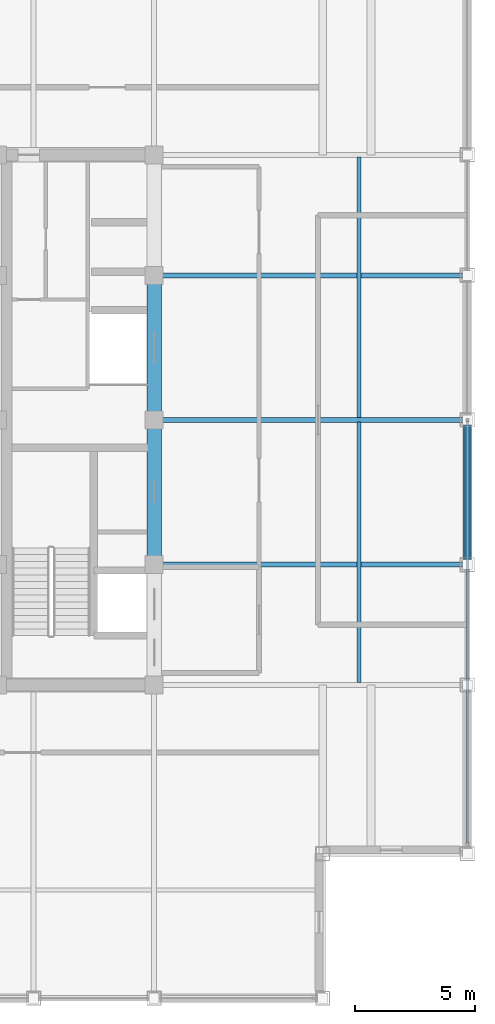
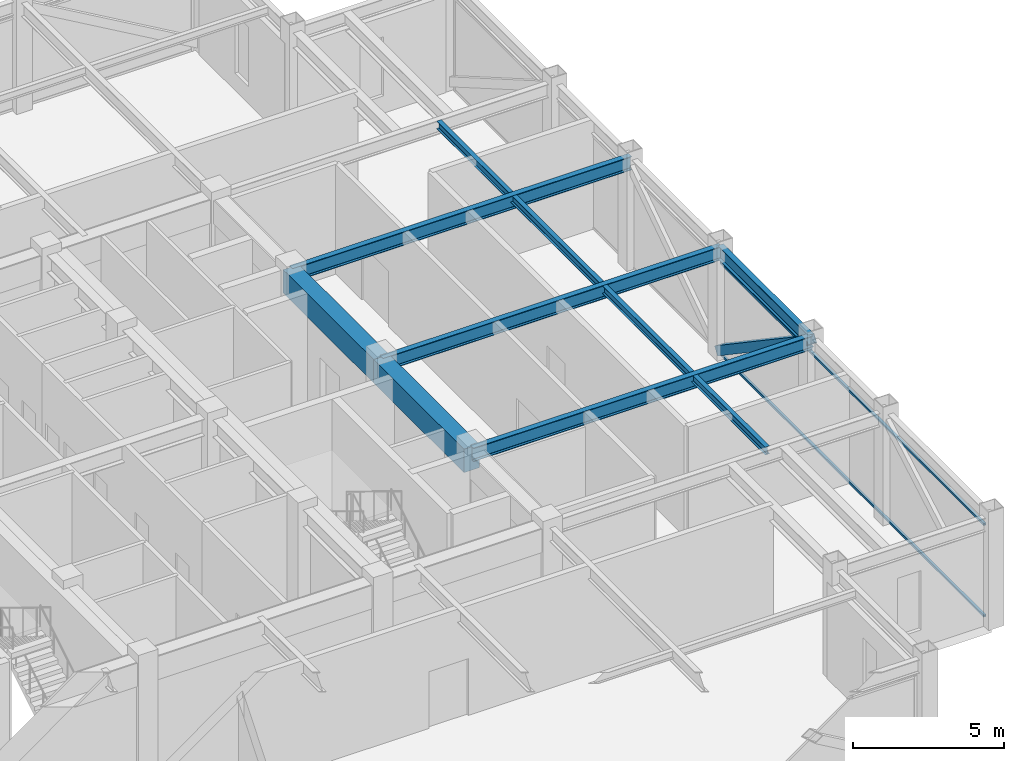
# One storey, part 11 of 27: 8 beams, 3 members, 1 element without a shape of its own.
"""IFC4 building model written with IfcOpenShell, lengths in metres."""

import ifcopenshell
import ifcopenshell.guid

model = None  # the IFC model being written
_history = None  # IfcOwnerHistory: only IFC2X3 demands one
_inside = {}  # id of a spatial element -> (the spatial element, [elements in it])
_under = {}  # id of a project, library or spatial element -> (it, [spatial elements below it])
_declared = {}  # id of a project -> (the project, [libraries it declares])
_typed = {}  # id of a type object -> (the type object, [elements of that type])
_made_of = {}  # id of a material, layer set ... -> (it, [elements and type objects made of it])


def new_model(schema):
    """Start an empty IFC model of exactly this schema.

    Asked for "IFC4X3", IfcOpenShell would pick the latest addendum, in which some entities
    have other attributes; the version numbers below select the first issue.
    IFC2X3 requires an IfcOwnerHistory on every rooted entity: one is made here for all.
    """
    global model, _history
    if schema == "IFC4X3":
        model = ifcopenshell.file(schema_version=(4, 3, 0, 0))
    else:
        model = ifcopenshell.file(schema=schema)
    _inside.clear()
    _under.clear()
    _declared.clear()
    _typed.clear()
    _made_of.clear()
    _history = None
    if model.schema == "IFC2X3":
        org = make("IfcOrganization", Name="unknown")
        user = make(
            "IfcPersonAndOrganization",
            ThePerson=make("IfcPerson", FamilyName="unknown"),
            TheOrganization=org,
        )
        app = make(
            "IfcApplication",
            ApplicationDeveloper=org,
            Version="unknown",
            ApplicationFullName="unknown",
            ApplicationIdentifier="unknown",
        )
        _history = make(
            "IfcOwnerHistory",
            OwningUser=user,
            OwningApplication=app,
            ChangeAction="ADDED",
            CreationDate=0,
        )
    return model


def make(cls, **values):
    """One entity of the class cls with the attributes given. An attribute that is None is left unset."""
    return model.create_entity(
        cls, **{name: value for name, value in values.items() if value is not None}
    )


def rooted(cls, **values):
    """An entity with a GlobalId (a new one), such as an element, a storey or a relation."""
    return make(cls, GlobalId=ifcopenshell.guid.new(), OwnerHistory=_history, **values)


def si_unit(unit_type, name, prefix=None):
    """IfcSIUnit, for example si_unit("LENGTHUNIT", "METRE", prefix="MILLI")."""
    return make("IfcSIUnit", UnitType=unit_type, Prefix=prefix, Name=name)


def assignment(units):
    """IfcUnitAssignment: the units of a project."""
    return None if units is None else make("IfcUnitAssignment", Units=units)


def point(xyz):
    """IfcCartesianPoint."""
    return None if xyz is None else make("IfcCartesianPoint", Coordinates=xyz)


def direction(xyz):
    """IfcDirection."""
    return None if xyz is None else make("IfcDirection", DirectionRatios=xyz)


def frame(location, z_axis=None, x_axis=None):
    """IfcAxis2Placement3D, a coordinate frame: its origin and axes. An axis left out is left unset."""
    return make(
        "IfcAxis2Placement3D",
        Location=point(location),
        Axis=direction(z_axis),
        RefDirection=direction(x_axis),
    )


def frame_2d(location, x_axis=None):
    """IfcAxis2Placement2D, a coordinate frame in the plane: its origin and x axis."""
    return make(
        "IfcAxis2Placement2D", Location=point(location), RefDirection=direction(x_axis)
    )


def origin():
    """The frame at (0, 0, 0) with its axes left unset."""
    return frame((0.0, 0.0, 0.0))


def origin_2d():
    """The frame at (0, 0) in the plane with its x axis left unset."""
    return frame_2d((0.0, 0.0))


def place(relative_to, where):
    """IfcLocalPlacement: puts the frame where relative to a parent placement (None: the world)."""
    return make(
        "IfcLocalPlacement", PlacementRelTo=relative_to, RelativePlacement=where
    )


def context(
    kind, dimensions, precision=None, world=None, true_north=None, identifier=None
):
    """IfcGeometricRepresentationContext, for example the 3D "Model" context."""
    return make(
        "IfcGeometricRepresentationContext",
        ContextIdentifier=identifier,
        ContextType=kind,
        CoordinateSpaceDimension=dimensions,
        Precision=precision,
        WorldCoordinateSystem=world,
        TrueNorth=true_north,
    )


def subcontext(parent, identifier, kind, view, scale=None):
    """IfcGeometricRepresentationSubContext, for example "Body" below "Model"."""
    return make(
        "IfcGeometricRepresentationSubContext",
        ContextIdentifier=identifier,
        ContextType=kind,
        ParentContext=parent,
        TargetScale=scale,
        TargetView=view,
    )


def project(units=None, contexts=None):
    """IfcProject with its units and contexts."""
    return rooted(
        "IfcProject",
        Name="project",
        RepresentationContexts=contexts,
        UnitsInContext=assignment(units),
    )


def spatial(cls, under=None, at=None, **own):
    """A site, building, storey or space (cls), placed at a placement, below another one or the project."""
    s = rooted(cls, ObjectPlacement=at, **own)
    if under is not None:
        _under.setdefault(under.id(), (under, []))[1].append(s)
    return s


def profile(cls, at=None, kind="AREA", **sizes):
    """A parametric profile (cls). Its sizes go by their IFC names, for example OverallWidth=200.0."""
    return make(cls, ProfileType=kind, Position=at, **sizes)


def rectangle(**sizes):
    """IfcRectangleProfileDef."""
    return profile("IfcRectangleProfileDef", **sizes)


def hollow_rectangle(**sizes):
    """IfcRectangleHollowProfileDef."""
    return profile("IfcRectangleHollowProfileDef", **sizes)


def i_section(**sizes):
    """IfcIShapeProfileDef."""
    return profile("IfcIShapeProfileDef", **sizes)


def extrude(swept, where, along, depth):
    """IfcExtrudedAreaSolid: the profile swept, set in the frame where, extruded along a direction by depth."""
    return make(
        "IfcExtrudedAreaSolid",
        SweptArea=swept,
        Position=where,
        ExtrudedDirection=direction(along),
        Depth=depth,
    )


def shape(context_of_items, identifier, shape_type, items):
    """IfcShapeRepresentation: the items that make up one representation, for example the "Body"."""
    return make(
        "IfcShapeRepresentation",
        ContextOfItems=context_of_items,
        RepresentationIdentifier=identifier,
        RepresentationType=shape_type,
        Items=items,
    )


def source(mapping_origin, context_of_items, identifier, shape_type, items):
    """IfcRepresentationMap: a shape defined once, which mapped items show again and again."""
    return make(
        "IfcRepresentationMap",
        MappingOrigin=mapping_origin,
        MappedRepresentation=shape(context_of_items, identifier, shape_type, items),
    )


def transform(
    local_origin,
    x_axis=None,
    y_axis=None,
    z_axis=None,
    scale=None,
    scale2=None,
    scale3=None,
    uniform=True,
):
    """IfcCartesianTransformationOperator3D, or its non-uniform kind. x_axis, y_axis, z_axis: its Axis1, 2, 3."""
    if uniform:
        return make(
            "IfcCartesianTransformationOperator3D",
            Axis1=direction(x_axis),
            Axis2=direction(y_axis),
            LocalOrigin=point(local_origin),
            Scale=scale,
            Axis3=direction(z_axis),
        )
    return make(
        "IfcCartesianTransformationOperator3DnonUniform",
        Axis1=direction(x_axis),
        Axis2=direction(y_axis),
        LocalOrigin=point(local_origin),
        Scale=scale,
        Axis3=direction(z_axis),
        Scale2=scale2,
        Scale3=scale3,
    )


def mapped(mapping_source, mapping_target):
    """IfcMappedItem: shows the shape of a source again, moved by a transform."""
    return make(
        "IfcMappedItem", MappingSource=mapping_source, MappingTarget=mapping_target
    )


def material(Name=None, Category=None):
    """IfcMaterial."""
    return make("IfcMaterial", Name=Name, Category=Category)


def material_profile(
    of_material, cross_section, Name=None, Category=None, Priority=None
):
    """IfcMaterialProfile: a cross section and its material."""
    return make(
        "IfcMaterialProfile",
        Name=Name,
        Material=of_material,
        Profile=cross_section,
        Priority=Priority,
        Category=Category,
    )


def profile_set(profiles, Name=None, composite=None):
    """IfcMaterialProfileSet."""
    return make(
        "IfcMaterialProfileSet",
        Name=Name,
        MaterialProfiles=profiles,
        CompositeProfile=composite,
    )


def made_of(thing, what):
    """Note that an element or type object is made of a material, layer set ...; save() writes the relation."""
    if what is not None:
        _made_of.setdefault(what.id(), (what, []))[1].append(thing)
    return thing


def type_object(cls, material=None, **own):
    """A type object (cls), such as IfcWallType, which elements share."""
    return made_of(rooted(cls, **own), material)


def element(
    cls,
    number,
    at=None,
    inside=None,
    cuts=None,
    type_object=None,
    material=None,
    context=None,
    identifier="Body",
    shape_type=None,
    held_by="IfcProductDefinitionShape",
    body=None,
    shapes=None,
    **own,
):
    """One element of the class cls, such as IfcWall. Its Tag is "e" and its number.

    at: its placement. inside: the storey or other place that contains it. cuts: it is an
    opening in that element (IfcRelVoidsElement). A single representation is given by context,
    identifier, shape_type and body (its items); several are given by shapes. held_by: the class
    of the entity that holds the representations. save() writes the other relations.
    """
    e = rooted(cls, Tag="e%d" % number, ObjectPlacement=at, **own)
    if body is not None:
        shapes = [shape(context, identifier, shape_type, body)]
    if shapes is not None:
        e.Representation = make(held_by, Representations=shapes)
    if inside is not None:
        _inside.setdefault(inside.id(), (inside, []))[1].append(e)
    if cuts is not None:
        rooted(
            "IfcRelVoidsElement", RelatingBuildingElement=cuts, RelatedOpeningElement=e
        )
    if type_object is not None:
        _typed.setdefault(type_object.id(), (type_object, []))[1].append(e)
    return made_of(e, material)


def aggregate(whole, parts):
    """IfcRelAggregates: a whole, such as a stair, and the parts it consists of."""
    return rooted("IfcRelAggregates", RelatingObject=whole, RelatedObjects=parts)


def save(model, path):
    """Write the relations noted so far, then the file.

    IfcRelAggregates (storeys below a building ...), IfcRelContainedInSpatialStructure (elements
    in a storey), IfcRelDefinesByType, IfcRelAssociatesMaterial and IfcRelDeclares: one each for
    every whole, place, type object, material and project.
    """
    for whole, parts in _under.values():
        aggregate(whole, parts)
    for where, things in _inside.values():
        rooted(
            "IfcRelContainedInSpatialStructure",
            RelatedElements=things,
            RelatingStructure=where,
        )
    for kind, things in _typed.values():
        rooted("IfcRelDefinesByType", RelatedObjects=things, RelatingType=kind)
    for what, things in _made_of.values():
        rooted("IfcRelAssociatesMaterial", RelatedObjects=things, RelatingMaterial=what)
    for by, libraries in _declared.values():
        rooted("IfcRelDeclares", RelatingContext=by, RelatedDefinitions=libraries)
    model.write(path)


model = new_model("IFC4")

# Units and contexts
model_context = context("Model", 3, precision=1e-05, world=origin(), true_north=direction((0.0, 1.0)))
body_context = subcontext(model_context, "Body", "Model", "MODEL_VIEW")
ifc_project = project(units=[si_unit("LENGTHUNIT", "METRE"), si_unit("AREAUNIT", "SQUARE_METRE"), si_unit("VOLUMEUNIT", "CUBIC_METRE"), si_unit("PLANEANGLEUNIT", "RADIAN"), si_unit("MASSUNIT", "GRAM", prefix="KILO")], contexts=[model_context])

# Site, building, storey
site_placement = place(None, origin())
site = spatial("IfcSite", under=ifc_project, at=site_placement, CompositionType="ELEMENT")
building_placement = place(site_placement, origin())
building = spatial("IfcBuilding", under=site, at=building_placement, Name="Khorayat Bourse Tower", CompositionType="ELEMENT")
storey_placement = place(building_placement, frame((0.0, 0.0, 380.300048828125)))
storey = spatial("IfcBuildingStorey", under=building, at=storey_placement, Name="L90", CompositionType="ELEMENT", Elevation=380.300048828125)

# Beams
ifc_material_1 = material(Name="Concrete C60/75", Category="concrete")
ifc_material_profile_1 = material_profile(ifc_material_1, rectangle(XDim=0.60009765625, YDim=0.949951171875, at=origin_2d()), Name="RC 600x950")
ifc_profile_set_1 = profile_set([ifc_material_profile_1], Name="Concrete C60/75")
beam_type_1 = type_object("IfcBeamType", Name="BM-COUP-950", PredefinedType="BEAM", material=ifc_profile_set_1)
shared_shape_1 = source(origin(), body_context, "Body", "SweptSolid", [
    extrude(rectangle(XDim=0.60009765625, YDim=0.949951171875, at=origin_2d()), origin(), (0.0, 0.0, 1.0), 6.0),
])
for number, where, z_axis, x_axis, name in (
    (1, (11.0, -6.0, 3.974853515625), (0.0, 1.0, 0.0), (-1.0, 0.0, 0.0), "L90 BM-COUP-950 BM-L90-CRX-14"),
    (2, (11.0, 0.0, 3.974853515625), (0.0, 1.0, 0.0), (-1.0, 0.0, 0.0), "L90 BM-COUP-950 BM-L90-CRX-15"),
):
    element("IfcBeam", number, at=place(storey_placement, frame(where, z_axis=z_axis, x_axis=x_axis)), inside=storey, type_object=beam_type_1, Name=name, PredefinedType="BEAM", context=body_context, shape_type="MappedRepresentation", body=[
        mapped(shared_shape_1, transform((0.0, 0.0, 0.0), scale=1.0)),
    ])
ifc_material_2 = material(Name="Steel ASTM A992 Grade 50", Category="steel")
ifc_material_profile_2 = material_profile(ifc_material_2, i_section(OverallWidth=0.214111328125, OverallDepth=0.549072265625, WebThickness=0.0146484375, FlangeThickness=0.023681640625, FilletRadius=0.013916015625, at=origin_2d()), Name="W530X138")
ifc_profile_set_2 = profile_set([ifc_material_profile_2], Name="Steel ASTM A992 Grade 50")
beam_type_2 = type_object("IfcBeamType", Name="BM-SPAN-530", PredefinedType="SPANDREL", material=ifc_profile_set_2)
shared_shape_2 = source(origin(), body_context, "Body", "SweptSolid", [
    extrude(i_section(OverallWidth=0.214111328125, OverallDepth=0.549072265625, WebThickness=0.0146484375, FlangeThickness=0.023681640625, FilletRadius=0.013916015625, at=origin_2d()), origin(), (0.0, 0.0, 1.0), 6.0),
])
beam_placement = place(storey_placement, frame((24.0, -6.0, 4.175537109375), z_axis=(0.0, 1.0, 0.0), x_axis=(-1.0, 0.0, 0.0)))
element("IfcBeam", 3, at=beam_placement, inside=storey, type_object=beam_type_2, Name="L90 BM-SPAN-530 BM-L90-SPN-034", PredefinedType="SPANDREL", context=body_context, shape_type="MappedRepresentation", body=[
    mapped(shared_shape_2, transform((0.0, 0.0, 0.0), scale=1.0)),
])
ifc_material_profile_3 = material_profile(ifc_material_2, i_section(OverallWidth=0.214111328125, OverallDepth=0.549072265625, WebThickness=0.0146484375, FlangeThickness=0.023681640625, FilletRadius=0.013916015625, at=origin_2d()), Name="W530X138")
ifc_profile_set_3 = profile_set([ifc_material_profile_3], Name="Steel ASTM A992 Grade 50")
beam_type_3 = type_object("IfcBeamType", Name="BM-GIRD-530", PredefinedType="BEAM", material=ifc_profile_set_3)
shared_shape_3 = source(origin(), body_context, "Body", "SweptSolid", [
    extrude(i_section(OverallWidth=0.214111328125, OverallDepth=0.549072265625, WebThickness=0.0146484375, FlangeThickness=0.023681640625, FilletRadius=0.013916015625, at=origin_2d()), origin(), (0.0, 0.0, 1.0), 13.0),
])
for number, where, z_axis, x_axis, name in (
    (4, (11.0, -6.0, 4.175537109375), (1.0, 0.0, 0.0), (0.0, 1.0, 0.0), "L90 BM-GIRD-530 BM-L90-RADX-068"),
    (5, (11.0, 0.0, 4.175537109375), (1.0, 0.0, 0.0), (0.0, 1.0, 0.0), "L90 BM-GIRD-530 BM-L90-RADX-070"),
    (6, (11.0, 6.0, 4.175537109375), (1.0, 0.0, 0.0), (0.0, 1.0, 0.0), "L90 BM-GIRD-530 BM-L90-RADX-072"),
):
    element("IfcBeam", number, at=place(storey_placement, frame(where, z_axis=z_axis, x_axis=x_axis)), inside=storey, type_object=beam_type_3, Name=name, PredefinedType="BEAM", context=body_context, shape_type="MappedRepresentation", body=[
        mapped(shared_shape_3, transform((0.0, 0.0, 0.0), scale=1.0)),
    ])
ifc_material_profile_4 = material_profile(ifc_material_2, i_section(OverallWidth=0.1669921875, OverallDepth=0.31689453125, WebThickness=0.007568359375, FlangeThickness=0.01318359375, FilletRadius=0.010009765625, at=origin_2d()), Name="W310X52")
ifc_profile_set_4 = profile_set([ifc_material_profile_4], Name="Steel ASTM A992 Grade 50")
beam_type_4 = type_object("IfcBeamType", Name="BM-JOIST-310", PredefinedType="JOIST", material=ifc_profile_set_4)
shared_shape_4 = source(origin(), body_context, "Body", "SweptSolid", [
    extrude(i_section(OverallWidth=0.1669921875, OverallDepth=0.31689453125, WebThickness=0.007568359375, FlangeThickness=0.01318359375, FilletRadius=0.010009765625, at=origin_2d()), origin(), (0.0, 0.0, 1.0), 10.81005859375),
])
for number, where, z_axis, x_axis, name in (
    (7, (19.5, -10.905029296875, 4.29150390625), (0.0, 1.0, 0.0), (-1.0, 0.0, 0.0), "L90 BM-JOIST-310 BM-L90-JSTY-092"),
    (8, (19.5, 0.094970703125, 4.29150390625), (0.0, 1.0, 0.0), (-1.0, 0.0, 0.0), "L90 BM-JOIST-310 BM-L90-JSTY-093"),
):
    element("IfcBeam", number, at=place(storey_placement, frame(where, z_axis=z_axis, x_axis=x_axis)), inside=storey, type_object=beam_type_4, Name=name, PredefinedType="JOIST", context=body_context, shape_type="MappedRepresentation", body=[
        mapped(shared_shape_4, transform((0.0, 0.0, 0.0), scale=1.0)),
    ])

# Member
ifc_material_3 = material(Name="Steel EN 10025-2 S355J2", Category="steel")
ifc_material_profile_5 = material_profile(ifc_material_3, hollow_rectangle(XDim=0.35009765625, YDim=0.35009765625, WallThickness=0.02001953125, at=origin_2d()), Name="HSS 350x350x20")
ifc_profile_set_5 = profile_set([ifc_material_profile_5], Name="Steel EN 10025-2 S355J2")
member_type_1 = type_object("IfcMemberType", Name="MBR-CROWN-350", PredefinedType="USERDEFINED", material=ifc_profile_set_5)
shared_shape_5 = source(origin(), body_context, "Body", "SweptSolid", [
    extrude(hollow_rectangle(XDim=0.35009765625, YDim=0.35009765625, WallThickness=0.02001953125, at=origin_2d()), origin(), (0.0, 0.0, 1.0), 7.239013671875),
])
member_1_placement = place(storey_placement, frame((24.0, -6.0, 4.25), z_axis=(0.0, 0.828845546207, -0.559477488852), x_axis=(-1.0, 0.0, 0.0)))
element("IfcMember", 9, at=member_1_placement, inside=storey, type_object=member_type_1, Name="L90 Lantern Crown Frame Member 14", ObjectType="CROWN FRAME", PredefinedType="USERDEFINED", context=body_context, shape_type="MappedRepresentation", body=[
    mapped(shared_shape_5, transform((0.0, 0.0, 0.0), scale=1.0)),
])

# Curtain wall, members
ifc_material_4 = material(Name="Aluminium EN AW-6063 T6", Category="aluminium")
curtain_wall_type = type_object("IfcCurtainWallType", Name="CW-SYS-07", PredefinedType="NOTDEFINED", material=ifc_material_4)
curtain_wall_placement = place(storey_placement, origin())
curtain_wall = element("IfcCurtainWall", 10, at=curtain_wall_placement, inside=storey, type_object=curtain_wall_type, Name="L90 Curtain Wall CW-L90-E1", PredefinedType="NOTDEFINED")
ifc_material_profile_6 = material_profile(ifc_material_4, hollow_rectangle(XDim=0.090087890625, YDim=0.090087890625, WallThickness=0.00390625, at=origin_2d()), Name="ALU 90x90x4")
ifc_profile_set_6 = profile_set([ifc_material_profile_6], Name="Aluminium EN AW-6063 T6")
member_type_2 = type_object("IfcMemberType", Name="CWT-HORZ-90", PredefinedType="USERDEFINED", material=ifc_profile_set_6)
shared_shape_6 = source(origin(), body_context, "Body", "SweptSolid", [
    extrude(hollow_rectangle(XDim=0.090087890625, YDim=0.090087890625, WallThickness=0.00390625, at=origin_2d()), origin(), (0.0, 0.0, 1.0), 17.5),
])
member_2_placement = place(storey_placement, frame((24.0, -17.550048828125, 0.044921875), z_axis=(0.0, 1.0, 0.0), x_axis=(-1.0, 0.0, 0.0)))
member_2 = element("IfcMember", 11, at=member_2_placement, type_object=member_type_2, Name="CW-L90-E1 Horizontal Transom 1-1", ObjectType="TRANSOM", PredefinedType="USERDEFINED", context=body_context, shape_type="MappedRepresentation", body=[
    mapped(shared_shape_6, transform((0.0, 0.0, 0.0), scale=1.0)),
])
member_3_placement = place(storey_placement, frame((24.0, -17.550048828125, 3.7548828125), z_axis=(0.0, 1.0, 0.0), x_axis=(-1.0, 0.0, 0.0)))
member_3 = element("IfcMember", 12, at=member_3_placement, type_object=member_type_2, Name="CW-L90-E1 Horizontal Transom 1-2", ObjectType="TRANSOM", PredefinedType="USERDEFINED", context=body_context, shape_type="MappedRepresentation", body=[
    mapped(shared_shape_6, transform((0.0, 0.0, 0.0), scale=1.0)),
])
aggregate(curtain_wall, [member_2, member_3])

save(model, "model.ifc")
